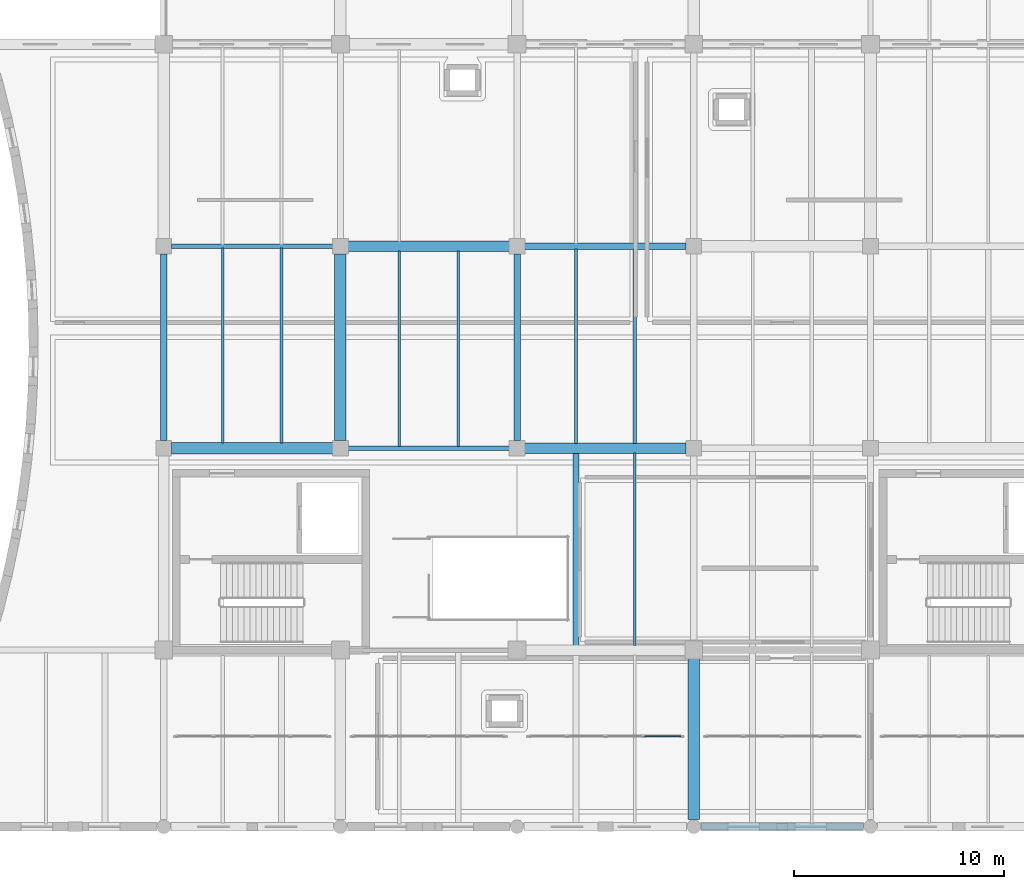
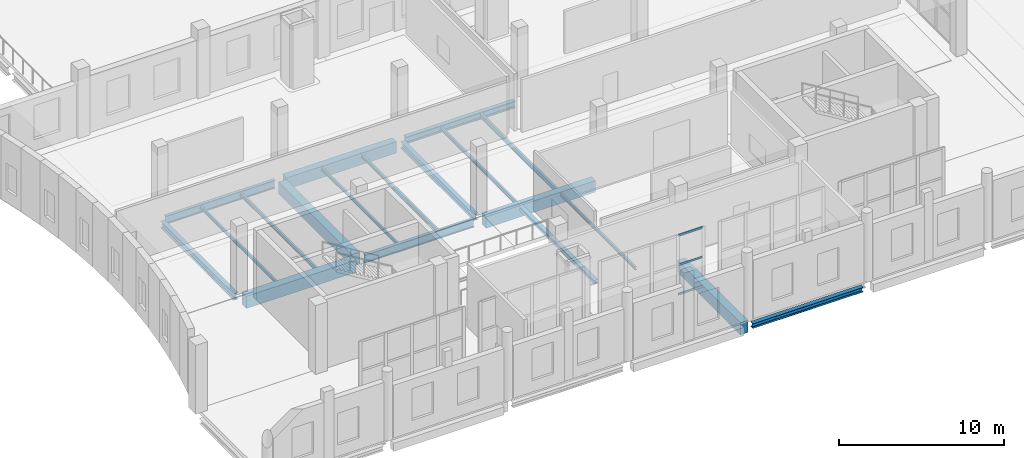
# One storey, part 6 of 73: 19 beams, 3 members, 1 element without a shape of its own.
"""IFC4 building model written with IfcOpenShell, lengths in metres."""

import ifcopenshell
import ifcopenshell.guid

model = None  # the IFC model being written
_history = None  # IfcOwnerHistory: only IFC2X3 demands one
_inside = {}  # id of a spatial element -> (the spatial element, [elements in it])
_under = {}  # id of a project, library or spatial element -> (it, [spatial elements below it])
_declared = {}  # id of a project -> (the project, [libraries it declares])
_typed = {}  # id of a type object -> (the type object, [elements of that type])
_made_of = {}  # id of a material, layer set ... -> (it, [elements and type objects made of it])


def new_model(schema):
    """Start an empty IFC model of exactly this schema.

    Asked for "IFC4X3", IfcOpenShell would pick the latest addendum, in which some entities
    have other attributes; the version numbers below select the first issue.
    IFC2X3 requires an IfcOwnerHistory on every rooted entity: one is made here for all.
    """
    global model, _history
    if schema == "IFC4X3":
        model = ifcopenshell.file(schema_version=(4, 3, 0, 0))
    else:
        model = ifcopenshell.file(schema=schema)
    _inside.clear()
    _under.clear()
    _declared.clear()
    _typed.clear()
    _made_of.clear()
    _history = None
    if model.schema == "IFC2X3":
        org = make("IfcOrganization", Name="unknown")
        user = make(
            "IfcPersonAndOrganization",
            ThePerson=make("IfcPerson", FamilyName="unknown"),
            TheOrganization=org,
        )
        app = make(
            "IfcApplication",
            ApplicationDeveloper=org,
            Version="unknown",
            ApplicationFullName="unknown",
            ApplicationIdentifier="unknown",
        )
        _history = make(
            "IfcOwnerHistory",
            OwningUser=user,
            OwningApplication=app,
            ChangeAction="ADDED",
            CreationDate=0,
        )
    return model


def make(cls, **values):
    """One entity of the class cls with the attributes given. An attribute that is None is left unset."""
    return model.create_entity(
        cls, **{name: value for name, value in values.items() if value is not None}
    )


def rooted(cls, **values):
    """An entity with a GlobalId (a new one), such as an element, a storey or a relation."""
    return make(cls, GlobalId=ifcopenshell.guid.new(), OwnerHistory=_history, **values)


def si_unit(unit_type, name, prefix=None):
    """IfcSIUnit, for example si_unit("LENGTHUNIT", "METRE", prefix="MILLI")."""
    return make("IfcSIUnit", UnitType=unit_type, Prefix=prefix, Name=name)


def assignment(units):
    """IfcUnitAssignment: the units of a project."""
    return None if units is None else make("IfcUnitAssignment", Units=units)


def point(xyz):
    """IfcCartesianPoint."""
    return None if xyz is None else make("IfcCartesianPoint", Coordinates=xyz)


def direction(xyz):
    """IfcDirection."""
    return None if xyz is None else make("IfcDirection", DirectionRatios=xyz)


def frame(location, z_axis=None, x_axis=None):
    """IfcAxis2Placement3D, a coordinate frame: its origin and axes. An axis left out is left unset."""
    return make(
        "IfcAxis2Placement3D",
        Location=point(location),
        Axis=direction(z_axis),
        RefDirection=direction(x_axis),
    )


def frame_2d(location, x_axis=None):
    """IfcAxis2Placement2D, a coordinate frame in the plane: its origin and x axis."""
    return make(
        "IfcAxis2Placement2D", Location=point(location), RefDirection=direction(x_axis)
    )


def origin():
    """The frame at (0, 0, 0) with its axes left unset."""
    return frame((0.0, 0.0, 0.0))


def origin_2d():
    """The frame at (0, 0) in the plane with its x axis left unset."""
    return frame_2d((0.0, 0.0))


def place(relative_to, where):
    """IfcLocalPlacement: puts the frame where relative to a parent placement (None: the world)."""
    return make(
        "IfcLocalPlacement", PlacementRelTo=relative_to, RelativePlacement=where
    )


def context(
    kind, dimensions, precision=None, world=None, true_north=None, identifier=None
):
    """IfcGeometricRepresentationContext, for example the 3D "Model" context."""
    return make(
        "IfcGeometricRepresentationContext",
        ContextIdentifier=identifier,
        ContextType=kind,
        CoordinateSpaceDimension=dimensions,
        Precision=precision,
        WorldCoordinateSystem=world,
        TrueNorth=true_north,
    )


def subcontext(parent, identifier, kind, view, scale=None):
    """IfcGeometricRepresentationSubContext, for example "Body" below "Model"."""
    return make(
        "IfcGeometricRepresentationSubContext",
        ContextIdentifier=identifier,
        ContextType=kind,
        ParentContext=parent,
        TargetScale=scale,
        TargetView=view,
    )


def project(units=None, contexts=None):
    """IfcProject with its units and contexts."""
    return rooted(
        "IfcProject",
        Name="project",
        RepresentationContexts=contexts,
        UnitsInContext=assignment(units),
    )


def spatial(cls, under=None, at=None, **own):
    """A site, building, storey or space (cls), placed at a placement, below another one or the project."""
    s = rooted(cls, ObjectPlacement=at, **own)
    if under is not None:
        _under.setdefault(under.id(), (under, []))[1].append(s)
    return s


def profile(cls, at=None, kind="AREA", **sizes):
    """A parametric profile (cls). Its sizes go by their IFC names, for example OverallWidth=200.0."""
    return make(cls, ProfileType=kind, Position=at, **sizes)


def rectangle(**sizes):
    """IfcRectangleProfileDef."""
    return profile("IfcRectangleProfileDef", **sizes)


def hollow_rectangle(**sizes):
    """IfcRectangleHollowProfileDef."""
    return profile("IfcRectangleHollowProfileDef", **sizes)


def i_section(**sizes):
    """IfcIShapeProfileDef."""
    return profile("IfcIShapeProfileDef", **sizes)


def extrude(swept, where, along, depth):
    """IfcExtrudedAreaSolid: the profile swept, set in the frame where, extruded along a direction by depth."""
    return make(
        "IfcExtrudedAreaSolid",
        SweptArea=swept,
        Position=where,
        ExtrudedDirection=direction(along),
        Depth=depth,
    )


def shape(context_of_items, identifier, shape_type, items):
    """IfcShapeRepresentation: the items that make up one representation, for example the "Body"."""
    return make(
        "IfcShapeRepresentation",
        ContextOfItems=context_of_items,
        RepresentationIdentifier=identifier,
        RepresentationType=shape_type,
        Items=items,
    )


def material(Name=None, Category=None):
    """IfcMaterial."""
    return make("IfcMaterial", Name=Name, Category=Category)


def layer(
    of_material, thickness, ventilated=None, Name=None, Category=None, Priority=None
):
    """IfcMaterialLayer: one layer of a wall or slab, of a material (None: an air gap)."""
    return make(
        "IfcMaterialLayer",
        Material=of_material,
        LayerThickness=thickness,
        IsVentilated=ventilated,
        Name=Name,
        Category=Category,
        Priority=Priority,
    )


def layer_set(layers, Name=None):
    """IfcMaterialLayerSet."""
    return make("IfcMaterialLayerSet", MaterialLayers=layers, LayerSetName=Name)


def material_profile(
    of_material, cross_section, Name=None, Category=None, Priority=None
):
    """IfcMaterialProfile: a cross section and its material."""
    return make(
        "IfcMaterialProfile",
        Name=Name,
        Material=of_material,
        Profile=cross_section,
        Priority=Priority,
        Category=Category,
    )


def profile_set(profiles, Name=None, composite=None):
    """IfcMaterialProfileSet."""
    return make(
        "IfcMaterialProfileSet",
        Name=Name,
        MaterialProfiles=profiles,
        CompositeProfile=composite,
    )


def made_of(thing, what):
    """Note that an element or type object is made of a material, layer set ...; save() writes the relation."""
    if what is not None:
        _made_of.setdefault(what.id(), (what, []))[1].append(thing)
    return thing


def type_object(cls, material=None, **own):
    """A type object (cls), such as IfcWallType, which elements share."""
    return made_of(rooted(cls, **own), material)


def element(
    cls,
    number,
    at=None,
    inside=None,
    cuts=None,
    type_object=None,
    material=None,
    context=None,
    identifier="Body",
    shape_type=None,
    held_by="IfcProductDefinitionShape",
    body=None,
    shapes=None,
    **own,
):
    """One element of the class cls, such as IfcWall. Its Tag is "e" and its number.

    at: its placement. inside: the storey or other place that contains it. cuts: it is an
    opening in that element (IfcRelVoidsElement). A single representation is given by context,
    identifier, shape_type and body (its items); several are given by shapes. held_by: the class
    of the entity that holds the representations. save() writes the other relations.
    """
    e = rooted(cls, Tag="e%d" % number, ObjectPlacement=at, **own)
    if body is not None:
        shapes = [shape(context, identifier, shape_type, body)]
    if shapes is not None:
        e.Representation = make(held_by, Representations=shapes)
    if inside is not None:
        _inside.setdefault(inside.id(), (inside, []))[1].append(e)
    if cuts is not None:
        rooted(
            "IfcRelVoidsElement", RelatingBuildingElement=cuts, RelatedOpeningElement=e
        )
    if type_object is not None:
        _typed.setdefault(type_object.id(), (type_object, []))[1].append(e)
    return made_of(e, material)


def aggregate(whole, parts):
    """IfcRelAggregates: a whole, such as a stair, and the parts it consists of."""
    return rooted("IfcRelAggregates", RelatingObject=whole, RelatedObjects=parts)


def save(model, path):
    """Write the relations noted so far, then the file.

    IfcRelAggregates (storeys below a building ...), IfcRelContainedInSpatialStructure (elements
    in a storey), IfcRelDefinesByType, IfcRelAssociatesMaterial and IfcRelDeclares: one each for
    every whole, place, type object, material and project.
    """
    for whole, parts in _under.values():
        aggregate(whole, parts)
    for where, things in _inside.values():
        rooted(
            "IfcRelContainedInSpatialStructure",
            RelatedElements=things,
            RelatingStructure=where,
        )
    for kind, things in _typed.values():
        rooted("IfcRelDefinesByType", RelatedObjects=things, RelatingType=kind)
    for what, things in _made_of.values():
        rooted("IfcRelAssociatesMaterial", RelatedObjects=things, RelatingMaterial=what)
    for by, libraries in _declared.values():
        rooted("IfcRelDeclares", RelatingContext=by, RelatedDefinitions=libraries)
    model.write(path)


model = new_model("IFC4")

# Units and contexts
model_context = context("Model", 3, precision=1e-05, world=origin(), true_north=direction((0.0, 1.0)))
body_context = subcontext(model_context, "Body", "Model", "MODEL_VIEW")
ifc_project = project(units=[si_unit("LENGTHUNIT", "METRE"), si_unit("AREAUNIT", "SQUARE_METRE"), si_unit("VOLUMEUNIT", "CUBIC_METRE"), si_unit("PLANEANGLEUNIT", "RADIAN"), si_unit("MASSUNIT", "GRAM", prefix="KILO")], contexts=[model_context])

# Site, building, storey
site_placement = place(None, origin())
site = spatial("IfcSite", under=ifc_project, at=site_placement, CompositionType="ELEMENT")
building_placement = place(site_placement, origin())
building = spatial("IfcBuilding", under=site, at=building_placement, Name="Zulmaris Art Gallery", CompositionType="ELEMENT")
storey_placement = place(building_placement, frame((0.0, 0.0, 10.5)))
storey = spatial("IfcBuildingStorey", under=building, at=storey_placement, Name="L02", CompositionType="ELEMENT", Elevation=10.5)

# Beams
ifc_material_1 = material(Name="Steel S355J2", Category="steel")
ifc_material_profile_1 = material_profile(ifc_material_1, i_section(OverallWidth=0.219970703125, OverallDepth=0.60009765625, WebThickness=0.011962890625, FlangeThickness=0.01904296875, FilletRadius=0.02392578125, at=origin_2d()), Name="IPE 600")
ifc_profile_set_1 = profile_set([ifc_material_profile_1], Name="Steel S355J2")
beam_type_1 = type_object("IfcBeamType", Name="BEAM-BM07", PredefinedType="BEAM", material=ifc_profile_set_1)
beam_1_placement = place(storey_placement, frame((41.159912109375, 31.199951171875, -0.695068359375), z_axis=(1.0, 0.0, 0.0), x_axis=(0.0, 1.0, 0.0)))
element("IfcBeam", 1, at=beam_1_placement, inside=storey, type_object=beam_type_1, Name="L02 X-girder (40.8..49.2, y=31.2)", PredefinedType="BEAM", context=body_context, shape_type="SweptSolid", body=[
    extrude(i_section(OverallWidth=0.219970703125, OverallDepth=0.60009765625, WebThickness=0.011962890625, FlangeThickness=0.01904296875, FilletRadius=0.02392578125, at=origin_2d()), origin(), (0.0, 0.0, 1.0), 7.68017578125),
])
beam_2_placement = place(storey_placement, frame((32.760009765625, 40.800048828125, -0.695068359375), z_axis=(1.0, 0.0, 0.0), x_axis=(0.0, 1.0, 0.0)))
element("IfcBeam", 2, at=beam_2_placement, inside=storey, type_object=beam_type_1, Name="L02 X-girder (32.4..40.8, y=40.8)", PredefinedType="BEAM", context=body_context, shape_type="SweptSolid", body=[
    extrude(i_section(OverallWidth=0.219970703125, OverallDepth=0.60009765625, WebThickness=0.011962890625, FlangeThickness=0.01904296875, FilletRadius=0.02392578125, at=origin_2d()), origin(), (0.0, 0.0, 1.0), 7.679931640625),
])
ifc_material_profile_2 = material_profile(ifc_material_1, i_section(OverallWidth=0.300048828125, OverallDepth=0.489990234375, WebThickness=0.011962890625, FlangeThickness=0.02294921875, FilletRadius=0.027099609375, at=origin_2d()), Name="HEA 500")
ifc_profile_set_2 = profile_set([ifc_material_profile_2], Name="Steel S355J2")
beam_type_2 = type_object("IfcBeamType", Name="BEAM-BM11", PredefinedType="BEAM", material=ifc_profile_set_2)
beam_3_placement = place(storey_placement, frame((49.199951171875, 31.56005859375, -0.64501953125), z_axis=(0.0, 1.0, 0.0), x_axis=(-1.0, 0.0, 0.0)))
element("IfcBeam", 3, at=beam_3_placement, inside=storey, type_object=beam_type_2, Name="L02 Y-girder (x=49.2, 31.2..40.8)", PredefinedType="BEAM", context=body_context, shape_type="SweptSolid", body=[
    extrude(i_section(OverallWidth=0.300048828125, OverallDepth=0.489990234375, WebThickness=0.011962890625, FlangeThickness=0.02294921875, FilletRadius=0.027099609375, at=origin_2d()), origin(), (0.0, 0.0, 1.0), 8.8798828125),
])
ifc_material_profile_3 = material_profile(ifc_material_1, i_section(OverallWidth=0.300048828125, OverallDepth=0.5, WebThickness=0.014404296875, FlangeThickness=0.028076171875, FilletRadius=0.027099609375, at=origin_2d()), Name="HEB 500")
ifc_profile_set_3 = profile_set([ifc_material_profile_3], Name="Steel S355J2")
beam_type_3 = type_object("IfcBeamType", Name="BEAM-BM14", PredefinedType="BEAM", material=ifc_profile_set_3)
beam_4_placement = place(storey_placement, frame((49.56005859375, 40.800048828125, -0.64990234375), z_axis=(1.0, 0.0, 0.0), x_axis=(0.0, 1.0, 0.0)))
element("IfcBeam", 4, at=beam_4_placement, inside=storey, type_object=beam_type_3, Name="L02 X-girder (49.2..57.6, y=40.8)", PredefinedType="BEAM", context=body_context, shape_type="SweptSolid", body=[
    extrude(i_section(OverallWidth=0.300048828125, OverallDepth=0.5, WebThickness=0.014404296875, FlangeThickness=0.028076171875, FilletRadius=0.027099609375, at=origin_2d()), origin(), (0.0, 0.0, 1.0), 7.679931640625),
])
beam_5_placement = place(storey_placement, frame((32.39990234375, 31.56005859375, -0.64990234375), z_axis=(0.0, 1.0, 0.0), x_axis=(-1.0, 0.0, 0.0)))
element("IfcBeam", 5, at=beam_5_placement, inside=storey, type_object=beam_type_3, Name="L02 Y-girder (x=32.4, 31.2..40.8)", PredefinedType="BEAM", context=body_context, shape_type="SweptSolid", body=[
    extrude(i_section(OverallWidth=0.300048828125, OverallDepth=0.5, WebThickness=0.014404296875, FlangeThickness=0.028076171875, FilletRadius=0.027099609375, at=origin_2d()), origin(), (0.0, 0.0, 1.0), 8.8798828125),
])
ifc_material_2 = material(Name="Concrete C40/50", Category="concrete")
ifc_material_profile_4 = material_profile(ifc_material_2, rectangle(XDim=0.550048828125, YDim=0.89990234375, at=origin_2d()), Name="RC 550x900")
ifc_profile_set_4 = profile_set([ifc_material_profile_4], Name="Concrete C40/50")
beam_type_4 = type_object("IfcBeamType", Name="BEAM-BM21", PredefinedType="BEAM", material=ifc_profile_set_4)
beam_6_placement = place(storey_placement, frame((32.760009765625, 31.199951171875, -0.85009765625), z_axis=(1.0, 0.0, 0.0), x_axis=(0.0, 1.0, 0.0)))
element("IfcBeam", 6, at=beam_6_placement, inside=storey, type_object=beam_type_4, Name="L02 X-girder (32.4..40.8, y=31.2)", PredefinedType="BEAM", context=body_context, shape_type="SweptSolid", body=[
    extrude(rectangle(XDim=0.550048828125, YDim=0.89990234375, at=origin_2d()), origin(), (0.0, 0.0, 1.0), 7.679931640625),
])
beam_7_placement = place(storey_placement, frame((40.800048828125, 31.56005859375, -0.85009765625), z_axis=(0.0, 1.0, 0.0), x_axis=(-1.0, 0.0, 0.0)))
element("IfcBeam", 7, at=beam_7_placement, inside=storey, type_object=beam_type_4, Name="L02 Y-girder (x=40.8, 31.2..40.8)", PredefinedType="BEAM", context=body_context, shape_type="SweptSolid", body=[
    extrude(rectangle(XDim=0.550048828125, YDim=0.89990234375, at=origin_2d()), origin(), (0.0, 0.0, 1.0), 8.8798828125),
])
beam_8_placement = place(storey_placement, frame((57.60009765625, 13.534912109375, -0.85009765625), z_axis=(0.0, 1.0, 0.0), x_axis=(-1.0, 0.0, 0.0)))
element("IfcBeam", 8, at=beam_8_placement, inside=storey, type_object=beam_type_4, Name="L02 Y-girder (x=57.6, 13.2..21.6)", PredefinedType="BEAM", context=body_context, shape_type="SweptSolid", body=[
    extrude(rectangle(XDim=0.550048828125, YDim=0.89990234375, at=origin_2d()), origin(), (0.0, 0.0, 1.0), 7.655029296875),
])
ifc_material_profile_5 = material_profile(ifc_material_2, rectangle(XDim=0.5, YDim=0.85009765625, at=origin_2d()), Name="RC 500x850")
ifc_profile_set_5 = profile_set([ifc_material_profile_5], Name="Concrete C40/50")
beam_type_5 = type_object("IfcBeamType", Name="BEAM-BM26", PredefinedType="BEAM", material=ifc_profile_set_5)
beam_9_placement = place(storey_placement, frame((49.56005859375, 31.199951171875, -0.824951171875), z_axis=(1.0, 0.0, 0.0), x_axis=(0.0, 1.0, 0.0)))
element("IfcBeam", 9, at=beam_9_placement, inside=storey, type_object=beam_type_5, Name="L02 X-girder (49.2..57.6, y=31.2)", PredefinedType="BEAM", context=body_context, shape_type="SweptSolid", body=[
    extrude(rectangle(XDim=0.5, YDim=0.85009765625, at=origin_2d()), origin(), (0.0, 0.0, 1.0), 7.679931640625),
])
beam_10_placement = place(storey_placement, frame((41.159912109375, 40.800048828125, -0.824951171875), z_axis=(1.0, 0.0, 0.0), x_axis=(0.0, 1.0, 0.0)))
element("IfcBeam", 10, at=beam_10_placement, inside=storey, type_object=beam_type_5, Name="L02 X-girder (40.8..49.2, y=40.8)", PredefinedType="BEAM", context=body_context, shape_type="SweptSolid", body=[
    extrude(rectangle(XDim=0.5, YDim=0.85009765625, at=origin_2d()), origin(), (0.0, 0.0, 1.0), 7.68017578125),
])
ifc_material_profile_6 = material_profile(ifc_material_1, i_section(OverallWidth=0.1201171875, OverallDepth=0.239990234375, WebThickness=0.006103515625, FlangeThickness=0.009765625, FilletRadius=0.014892578125, at=origin_2d()), Name="IPE 240")
ifc_profile_set_6 = profile_set([ifc_material_profile_6], Name="Steel S355J2")
beam_type_6 = type_object("IfcBeamType", Name="BEAM-JS01", PredefinedType="JOIST", material=ifc_profile_set_6)
beam_11_placement = place(storey_placement, frame((35.199951171875, 31.449951171875, -0.52001953125), z_axis=(0.0, 1.0, 0.0), x_axis=(-1.0, 0.0, 0.0)))
element("IfcBeam", 11, at=beam_11_placement, inside=storey, type_object=beam_type_6, Name="L02 secondary joist at x=35.2", PredefinedType="JOIST", context=body_context, shape_type="SweptSolid", body=[
    extrude(i_section(OverallWidth=0.1201171875, OverallDepth=0.239990234375, WebThickness=0.006103515625, FlangeThickness=0.009765625, FilletRadius=0.014892578125, at=origin_2d()), origin(), (0.0, 0.0, 1.0), 9.26513671875),
])
beam_12_placement = place(storey_placement, frame((43.60009765625, 31.284912109375, -0.52001953125), z_axis=(0.0, 1.0, 0.0), x_axis=(-1.0, 0.0, 0.0)))
element("IfcBeam", 12, at=beam_12_placement, inside=storey, type_object=beam_type_6, Name="L02 secondary joist at x=43.6", PredefinedType="JOIST", context=body_context, shape_type="SweptSolid", body=[
    extrude(i_section(OverallWidth=0.1201171875, OverallDepth=0.239990234375, WebThickness=0.006103515625, FlangeThickness=0.009765625, FilletRadius=0.014892578125, at=origin_2d()), origin(), (0.0, 0.0, 1.0), 9.2900390625),
])
beam_13_placement = place(storey_placement, frame((54.800048828125, 21.824951171875, -0.52001953125), z_axis=(0.0, 1.0, 0.0), x_axis=(-1.0, 0.0, 0.0)))
element("IfcBeam", 13, at=beam_13_placement, inside=storey, type_object=beam_type_6, Name="L02 secondary joist at x=54.8", PredefinedType="JOIST", context=body_context, shape_type="SweptSolid", body=[
    extrude(i_section(OverallWidth=0.1201171875, OverallDepth=0.239990234375, WebThickness=0.006103515625, FlangeThickness=0.009765625, FilletRadius=0.014892578125, at=origin_2d()), origin(), (0.0, 0.0, 1.0), 9.150146484375),
])
ifc_material_profile_7 = material_profile(ifc_material_1, i_section(OverallWidth=0.135009765625, OverallDepth=0.27001953125, WebThickness=0.006591796875, FlangeThickness=0.01025390625, FilletRadius=0.014892578125, at=origin_2d()), Name="IPE 270")
ifc_profile_set_7 = profile_set([ifc_material_profile_7], Name="Steel S355J2")
beam_type_7 = type_object("IfcBeamType", Name="BEAM-JS02", PredefinedType="JOIST", material=ifc_profile_set_7)
beam_14_placement = place(storey_placement, frame((38.0, 31.449951171875, -0.534912109375), z_axis=(0.0, 1.0, 0.0), x_axis=(-1.0, 0.0, 0.0)))
element("IfcBeam", 14, at=beam_14_placement, inside=storey, type_object=beam_type_7, Name="L02 secondary joist at x=38.0", PredefinedType="JOIST", context=body_context, shape_type="SweptSolid", body=[
    extrude(i_section(OverallWidth=0.135009765625, OverallDepth=0.27001953125, WebThickness=0.006591796875, FlangeThickness=0.01025390625, FilletRadius=0.014892578125, at=origin_2d()), origin(), (0.0, 0.0, 1.0), 9.26513671875),
])
beam_15_placement = place(storey_placement, frame((46.39990234375, 31.284912109375, -0.534912109375), z_axis=(0.0, 1.0, 0.0), x_axis=(-1.0, 0.0, 0.0)))
element("IfcBeam", 15, at=beam_15_placement, inside=storey, type_object=beam_type_7, Name="L02 secondary joist at x=46.4", PredefinedType="JOIST", context=body_context, shape_type="SweptSolid", body=[
    extrude(i_section(OverallWidth=0.135009765625, OverallDepth=0.27001953125, WebThickness=0.006591796875, FlangeThickness=0.01025390625, FilletRadius=0.014892578125, at=origin_2d()), origin(), (0.0, 0.0, 1.0), 9.2900390625),
])
beam_16_placement = place(storey_placement, frame((52.0, 31.425048828125, -0.534912109375), z_axis=(0.0, 1.0, 0.0), x_axis=(-1.0, 0.0, 0.0)))
element("IfcBeam", 16, at=beam_16_placement, inside=storey, type_object=beam_type_7, Name="L02 secondary joist at x=52.0", PredefinedType="JOIST", context=body_context, shape_type="SweptSolid", body=[
    extrude(i_section(OverallWidth=0.135009765625, OverallDepth=0.27001953125, WebThickness=0.006591796875, FlangeThickness=0.01025390625, FilletRadius=0.014892578125, at=origin_2d()), origin(), (0.0, 0.0, 1.0), 9.25),
])
ifc_material_profile_8 = material_profile(ifc_material_1, i_section(OverallWidth=0.159912109375, OverallDepth=0.330078125, WebThickness=0.007568359375, FlangeThickness=0.011474609375, FilletRadius=0.01806640625, at=origin_2d()), Name="IPE 330")
ifc_profile_set_8 = profile_set([ifc_material_profile_8], Name="Steel S355J2")
beam_type_8 = type_object("IfcBeamType", Name="BEAM-JS03", PredefinedType="JOIST", material=ifc_profile_set_8)
beam_17_placement = place(storey_placement, frame((54.800048828125, 31.425048828125, -0.56494140625), z_axis=(0.0, 1.0, 0.0), x_axis=(-1.0, 0.0, 0.0)))
element("IfcBeam", 17, at=beam_17_placement, inside=storey, type_object=beam_type_8, Name="L02 secondary joist at x=54.8", PredefinedType="JOIST", context=body_context, shape_type="SweptSolid", body=[
    extrude(i_section(OverallWidth=0.159912109375, OverallDepth=0.330078125, WebThickness=0.007568359375, FlangeThickness=0.011474609375, FilletRadius=0.01806640625, at=origin_2d()), origin(), (0.0, 0.0, 1.0), 9.25),
])
ifc_material_profile_9 = material_profile(ifc_material_1, i_section(OverallWidth=0.280029296875, OverallDepth=0.27001953125, WebThickness=0.008056640625, FlangeThickness=0.012939453125, FilletRadius=0.02392578125, at=origin_2d()), Name="HEA 280")
ifc_profile_set_9 = profile_set([ifc_material_profile_9], Name="Steel S355J2")
beam_type_9 = type_object("IfcBeamType", Name="BEAM-JS04", PredefinedType="JOIST", material=ifc_profile_set_9)
beam_18_placement = place(storey_placement, frame((52.0, 21.824951171875, -0.534912109375), z_axis=(0.0, 1.0, 0.0), x_axis=(-1.0, 0.0, 0.0)))
element("IfcBeam", 18, at=beam_18_placement, inside=storey, type_object=beam_type_9, Name="L02 secondary joist at x=52.0", PredefinedType="JOIST", context=body_context, shape_type="SweptSolid", body=[
    extrude(i_section(OverallWidth=0.280029296875, OverallDepth=0.27001953125, WebThickness=0.008056640625, FlangeThickness=0.012939453125, FilletRadius=0.02392578125, at=origin_2d()), origin(), (0.0, 0.0, 1.0), 9.150146484375),
])
ifc_material_profile_10 = material_profile(ifc_material_1, i_section(OverallWidth=0.300048828125, OverallDepth=0.35009765625, WebThickness=0.010009765625, FlangeThickness=0.017578125, FilletRadius=0.027099609375, at=origin_2d()), Name="HEA 360")
ifc_profile_set_10 = profile_set([ifc_material_profile_10], Name="Steel S355J2")
beam_type_10 = type_object("IfcBeamType", Name="BEAM-SP01", PredefinedType="SPANDREL", material=ifc_profile_set_10)
beam_19_placement = place(storey_placement, frame((57.93505859375, 13.199951171875, -0.574951171875), z_axis=(1.0, 0.0, 0.0), x_axis=(0.0, 1.0, 0.0)))
element("IfcBeam", 19, at=beam_19_placement, inside=storey, type_object=beam_type_10, Name="L02 X-girder (57.6..66.0, y=13.2)", PredefinedType="SPANDREL", context=body_context, shape_type="SweptSolid", body=[
    extrude(i_section(OverallWidth=0.300048828125, OverallDepth=0.35009765625, WebThickness=0.010009765625, FlangeThickness=0.017578125, FilletRadius=0.027099609375, at=origin_2d()), origin(), (0.0, 0.0, 1.0), 7.72998046875),
])

# Curtain wall, members
ifc_material_3 = material(Name="Cloister & Court Glazed Curtain Wall", Category="aluminium")
ifc_layer = layer(ifc_material_3, 0.179931640625)
ifc_layer_set = layer_set([ifc_layer], Name="Cloister & Court Glazed Curtain Wall")
curtain_wall_type = type_object("IfcCurtainWallType", Name="CW-CW03", PredefinedType="NOTDEFINED", material=ifc_layer_set)
curtain_wall_placement = place(storey_placement, origin())
curtain_wall = element("IfcCurtainWall", 20, at=curtain_wall_placement, inside=storey, type_object=curtain_wall_type, Name="L02 curtain wall 59", PredefinedType="NOTDEFINED")
ifc_material_4 = material(Name="Anodised Bronze Aluminium", Category="aluminium")
ifc_material_profile_11 = material_profile(ifc_material_4, hollow_rectangle(XDim=0.06494140625, YDim=0.14990234375, WallThickness=0.00390625, InnerFilletRadius=0.006103515625, OuterFilletRadius=0.010009765625, at=origin_2d()), Name="ALU 65x150x4")
ifc_profile_set_11 = profile_set([ifc_material_profile_11], Name="Anodised Bronze Aluminium")
member_type = type_object("IfcMemberType", Name="CWTRN-01", PredefinedType="USERDEFINED", material=ifc_profile_set_11)
member_1_placement = place(storey_placement, frame((55.267578125, 17.5, 0.03759765625), z_axis=(1.0, 0.0, 0.0), x_axis=(0.0, 1.0, 0.0)))
member_1 = element("IfcMember", 21, at=member_1_placement, type_object=member_type, Name="CW03 transom 4.1", ObjectType="TRANSOM", PredefinedType="USERDEFINED", context=body_context, shape_type="SweptSolid", body=[
    extrude(hollow_rectangle(XDim=0.06494140625, YDim=0.14990234375, WallThickness=0.00390625, InnerFilletRadius=0.006103515625, OuterFilletRadius=0.010009765625, at=origin_2d()), origin(), (0.0, 0.0, 1.0), 1.717529296875),
])
member_2_placement = place(storey_placement, frame((55.267578125, 17.5, 2.215087890625), z_axis=(1.0, 0.0, 0.0), x_axis=(0.0, 1.0, 0.0)))
member_2 = element("IfcMember", 22, at=member_2_placement, type_object=member_type, Name="CW03 transom 4.2", ObjectType="TRANSOM", PredefinedType="USERDEFINED", context=body_context, shape_type="SweptSolid", body=[
    extrude(hollow_rectangle(XDim=0.06494140625, YDim=0.14990234375, WallThickness=0.00390625, InnerFilletRadius=0.006103515625, OuterFilletRadius=0.010009765625, at=origin_2d()), origin(), (0.0, 0.0, 1.0), 1.717529296875),
])
member_3_placement = place(storey_placement, frame((55.267578125, 17.5, 4.392578125), z_axis=(1.0, 0.0, 0.0), x_axis=(0.0, 1.0, 0.0)))
member_3 = element("IfcMember", 23, at=member_3_placement, type_object=member_type, Name="CW03 transom 4.3", ObjectType="TRANSOM", PredefinedType="USERDEFINED", context=body_context, shape_type="SweptSolid", body=[
    extrude(hollow_rectangle(XDim=0.06494140625, YDim=0.14990234375, WallThickness=0.00390625, InnerFilletRadius=0.006103515625, OuterFilletRadius=0.010009765625, at=origin_2d()), origin(), (0.0, 0.0, 1.0), 1.717529296875),
])
aggregate(curtain_wall, [member_1, member_2, member_3])

save(model, "model.ifc")
